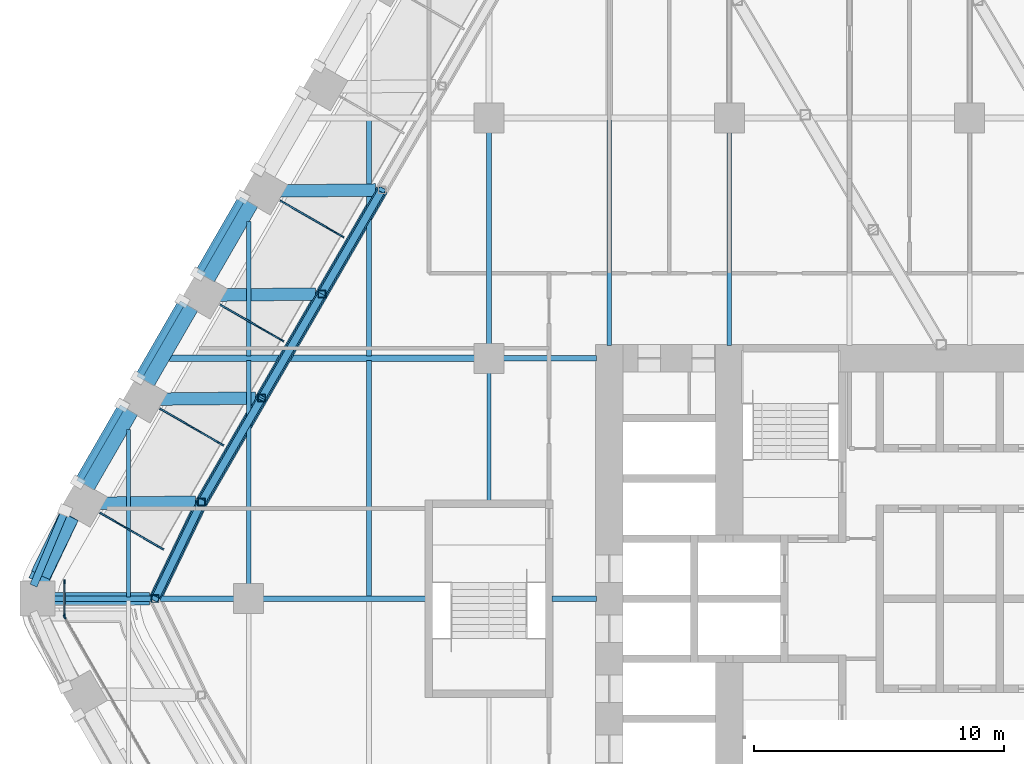
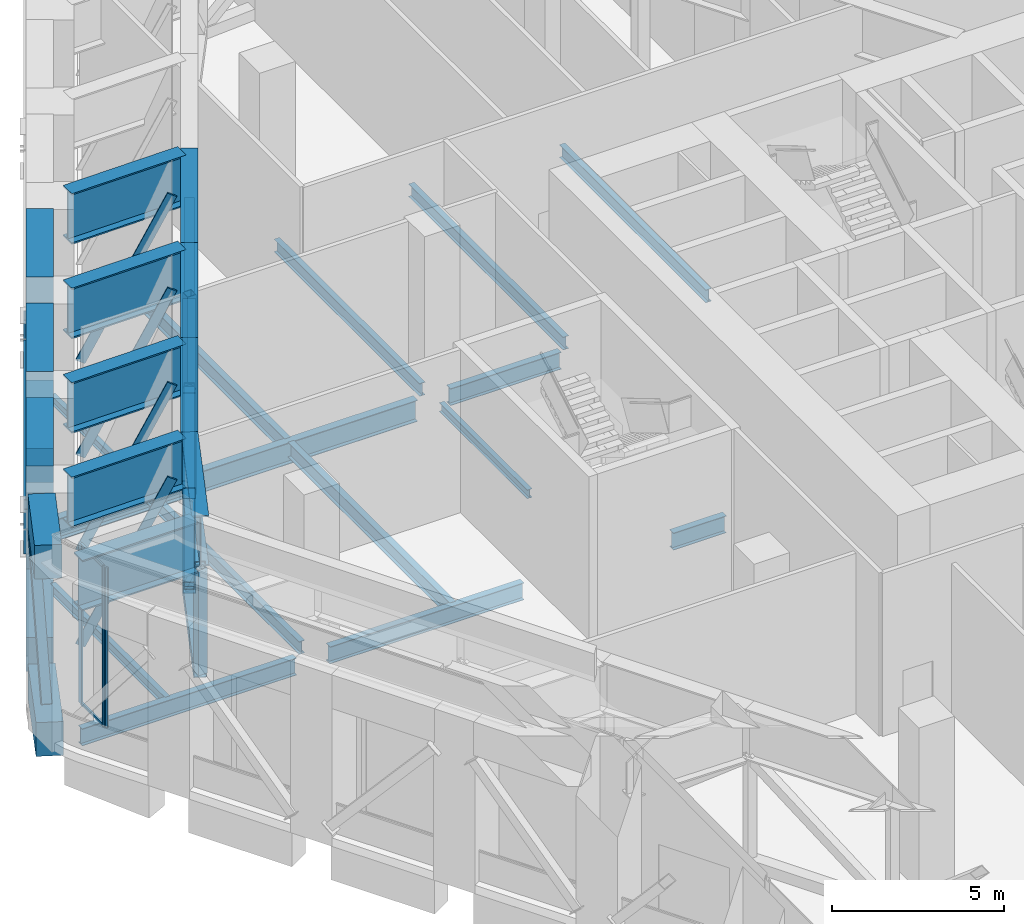
# One storey, part 7 of 35: 31 beams, 25 members, 3 elements without a shape of their own.
"""IFC4 building model written with IfcOpenShell, lengths in metres."""

from ifc_helpers import new_model, si_unit, direction, frame, origin, origin_2d, place, context, subcontext, project, spatial, rectangle, hollow_rectangle, i_section, extrude, material, material_profile, profile_set, type_object, element, aggregate, save


model = new_model("IFC4")

# Units and contexts
model_context = context("Model", 3, precision=1e-05, world=origin(), true_north=direction((0.0, 1.0)))
body_context = subcontext(model_context, "Body", "Model", "MODEL_VIEW")
ifc_project = project(units=[si_unit("LENGTHUNIT", "METRE"), si_unit("AREAUNIT", "SQUARE_METRE"), si_unit("VOLUMEUNIT", "CUBIC_METRE"), si_unit("PLANEANGLEUNIT", "RADIAN"), si_unit("MASSUNIT", "GRAM", prefix="KILO")], contexts=[model_context])

# Site, building, storey
site_placement = place(None, origin())
site = spatial("IfcSite", under=ifc_project, at=site_placement, CompositionType="ELEMENT")
building_placement = place(site_placement, origin())
building = spatial("IfcBuilding", under=site, at=building_placement, Name="Kolab Exchange Tower", CompositionType="ELEMENT")
storey_placement = place(building_placement, frame((0.0, 0.0, 71.89990234375)))
storey = spatial("IfcBuildingStorey", under=building, at=storey_placement, Name="L13", CompositionType="ELEMENT", Elevation=71.89990234375)

# Members
ifc_material_1 = material(Name="Steel S355", Category="steel")
ifc_material_profile_1 = material_profile(ifc_material_1, hollow_rectangle(XDim=0.300048828125, YDim=0.300048828125, WallThickness=0.01611328125, at=origin_2d()), Name="HSS300X300X16")
ifc_profile_set_1 = profile_set([ifc_material_profile_1], Name="Steel S355")
member_type_1 = type_object("IfcMemberType", Name="BELT TRUSS BRACE HSS300X300X16", PredefinedType="BRACE", material=ifc_profile_set_1)
member_1_placement = place(storey_placement, frame((-32.535888671875, 0.0, 4.0), z_axis=(0.326067240374, 0.677790824134, -0.658999054229), x_axis=(-0.901145304527, 0.433517173972, 0.0)))
element("IfcMember", 1, at=member_1_placement, inside=storey, type_object=member_type_1, Name="mem/L13/ring/d-F6-01", PredefinedType="BRACE", context=body_context, shape_type="SweptSolid", body=[
    extrude(hollow_rectangle(XDim=0.300048828125, YDim=0.300048828125, WallThickness=0.01611328125, at=origin_2d()), origin(), (0.0, 0.0, 1.0), 5.6904296875),
])
member_2_placement = place(storey_placement, frame((-30.680419921875, 3.85693359375, 0.25), z_axis=(0.393995973328, 0.682458742407, 0.615643758934), x_axis=(-0.866037363387, 0.499979284789, 0.0)))
element("IfcMember", 2, at=member_2_placement, inside=storey, type_object=member_type_1, Name="mem/L13/ring/d-F6-02", PredefinedType="BRACE", context=body_context, shape_type="SweptSolid", body=[
    extrude(hollow_rectangle(XDim=0.300048828125, YDim=0.300048828125, WallThickness=0.01611328125, at=origin_2d()), origin(), (0.0, 0.0, 1.0), 6.091064453125),
])
member_3_placement = place(storey_placement, frame((-28.280517578125, 8.013916015625, 4.0), z_axis=(0.394029831617, 0.682447964901, -0.615634036582), x_axis=(-0.866015339567, 0.500017431331, 0.0)))
element("IfcMember", 3, at=member_3_placement, inside=storey, type_object=member_type_1, Name="mem/L13/ring/d-F6-03", PredefinedType="BRACE", context=body_context, shape_type="SweptSolid", body=[
    extrude(hollow_rectangle(XDim=0.300048828125, YDim=0.300048828125, WallThickness=0.01611328125, at=origin_2d()), origin(), (0.0, 0.0, 1.0), 6.09130859375),
])
member_4_placement = place(storey_placement, frame((-25.88037109375, 12.1708984375, 0.25), z_axis=(0.394006750666, 0.682437328265, 0.61566059921), x_axis=(-0.866024647952, 0.500001309137, 0.0)))
element("IfcMember", 4, at=member_4_placement, inside=storey, type_object=member_type_1, Name="mem/L13/ring/d-F6-04", PredefinedType="BRACE", context=body_context, shape_type="SweptSolid", body=[
    extrude(hollow_rectangle(XDim=0.300048828125, YDim=0.300048828125, WallThickness=0.01611328125, at=origin_2d()), origin(), (0.0, 0.0, 1.0), 6.091064453125),
])
member_5_placement = place(storey_placement, frame((-37.34912109375, 0.631103515625, 0.400146484375), z_axis=(0.236569610991, 0.563022308645, 0.791859014676), x_axis=(-0.92192349331, 0.387372007872, 0.0)))
element("IfcMember", 5, at=member_5_placement, inside=storey, type_object=member_type_1, Name="mem/L13/fb/F6-01", PredefinedType="BRACE", context=body_context, shape_type="SweptSolid", body=[
    extrude(hollow_rectangle(XDim=0.300048828125, YDim=0.300048828125, WallThickness=0.01611328125, at=origin_2d()), origin(), (0.0, 0.0, 1.0), 5.114501953125),
])
for number, where, z_axis, x_axis, name in (
    (6, (-35.617431640625, 4.66796875, 4.4501953125), (0.328639455646, 0.569235883224, -0.753635599904), (-0.866031355668, 0.499989690894, 0.0), "mem/L13/fb/F6-02"),
    (7, (-33.217529296875, 8.824951171875, 0.400146484375), (0.328639455646, 0.569235883224, 0.753635599904), (-0.866031355668, 0.499989690894, 0.0), "mem/L13/fb/F6-03"),
):
    element("IfcMember", number, at=place(storey_placement, frame(where, z_axis=z_axis, x_axis=x_axis)), inside=storey, type_object=member_type_1, Name=name, PredefinedType="BRACE", context=body_context, shape_type="SweptSolid", body=[
        extrude(hollow_rectangle(XDim=0.300048828125, YDim=0.300048828125, WallThickness=0.01611328125, at=origin_2d()), origin(), (0.0, 0.0, 1.0), 5.3740234375),
    ])
member_6_placement = place(storey_placement, frame((-30.8173828125, 12.981689453125, 4.4501953125), z_axis=(0.328630956923, 0.569266591264, -0.753616110644), x_axis=(-0.866048632561, 0.49995976442, 0.0)))
element("IfcMember", 8, at=member_6_placement, inside=storey, type_object=member_type_1, Name="mem/L13/fb/F6-04", PredefinedType="BRACE", context=body_context, shape_type="SweptSolid", body=[
    extrude(hollow_rectangle(XDim=0.300048828125, YDim=0.300048828125, WallThickness=0.01611328125, at=origin_2d()), origin(), (0.0, 0.0, 1.0), 5.374267578125),
])
ifc_material_profile_2 = material_profile(ifc_material_1, hollow_rectangle(XDim=0.39990234375, YDim=0.39990234375, WallThickness=0.02001953125, at=origin_2d()), Name="HSS400X400X20")
ifc_profile_set_2 = profile_set([ifc_material_profile_2], Name="Steel S355")
member_type_2 = type_object("IfcMemberType", Name="BELT TRUSS CHORD HSS400X400X20", PredefinedType="CHORD", material=ifc_profile_set_2)
member_7_placement = place(storey_placement, frame((-32.535888671875, 0.0, 0.25), z_axis=(0.433517173972, 0.901145304527, 0.0), x_axis=(-0.901145304527, 0.433517173972, 0.0)))
element("IfcMember", 9, at=member_7_placement, inside=storey, type_object=member_type_2, Name="mem/L13/ring/c-F6-01", PredefinedType="CHORD", context=body_context, shape_type="SweptSolid", body=[
    extrude(hollow_rectangle(XDim=0.39990234375, YDim=0.39990234375, WallThickness=0.02001953125, at=origin_2d()), origin(), (0.0, 0.0, 1.0), 4.280029296875),
])
for number, where, z_axis, x_axis, name in (
    (10, (-30.680419921875, 3.85693359375, 0.25), (0.499979284789, 0.866037363387, 0.0), (-0.866037363387, 0.499979284789, 0.0), "mem/L13/ring/c-F6-02"),
    (11, (-28.280517578125, 8.013916015625, 0.25), (0.500017431331, 0.866015339567, 0.0), (-0.866015339567, 0.500017431331, 0.0), "mem/L13/ring/c-F6-03"),
):
    element("IfcMember", number, at=place(storey_placement, frame(where, z_axis=z_axis, x_axis=x_axis)), inside=storey, type_object=member_type_2, Name=name, PredefinedType="CHORD", context=body_context, shape_type="SweptSolid", body=[
        extrude(hollow_rectangle(XDim=0.39990234375, YDim=0.39990234375, WallThickness=0.02001953125, at=origin_2d()), origin(), (0.0, 0.0, 1.0), 4.800048828125),
    ])
member_8_placement = place(storey_placement, frame((-25.88037109375, 12.1708984375, 0.25), z_axis=(0.500001309137, 0.866024647952, 0.0), x_axis=(-0.866024647952, 0.500001309137, 0.0)))
element("IfcMember", 12, at=member_8_placement, inside=storey, type_object=member_type_2, Name="mem/L13/ring/c-F6-04", PredefinedType="CHORD", context=body_context, shape_type="SweptSolid", body=[
    extrude(hollow_rectangle(XDim=0.39990234375, YDim=0.39990234375, WallThickness=0.02001953125, at=origin_2d()), origin(), (0.0, 0.0, 1.0), 4.7998046875),
])

# Beams
ifc_material_profile_3 = material_profile(ifc_material_1, i_section(OverallWidth=0.5, OverallDepth=1.800048828125, WebThickness=0.031982421875, FlangeThickness=0.050048828125, at=origin_2d()), Name="PG1800X500")
ifc_profile_set_3 = profile_set([ifc_material_profile_3], Name="Steel S355")
beam_type_1 = type_object("IfcBeamType", Name="BELT TRUSS GIRDER PG1800X500", PredefinedType="BEAM", material=ifc_profile_set_3)
beam_1_placement = place(storey_placement, frame((-32.535888671875, 0.0, 4.900146484375), z_axis=(0.433517173972, 0.901145304527, 0.0), x_axis=(-0.901145304527, 0.433517173972, 0.0)))
element("IfcBeam", 13, at=beam_1_placement, inside=storey, type_object=beam_type_1, Name="beam/L13/bg/F6-in", PredefinedType="BEAM", context=body_context, shape_type="SweptSolid", body=[
    extrude(i_section(OverallWidth=0.5, OverallDepth=1.800048828125, WebThickness=0.031982421875, FlangeThickness=0.050048828125, at=origin_2d()), origin(), (0.0, 0.0, 1.0), 4.280029296875),
])
for number, where, z_axis, x_axis, name in (
    (14, (-30.680419921875, 3.85693359375, 4.900146484375), (0.499979284789, 0.866037363387, 0.0), (-0.866037363387, 0.499979284789, 0.0), "beam/L13/bg/F6-run0"),
    (15, (-28.280517578125, 8.013916015625, 4.900146484375), (0.500017431331, 0.866015339567, 0.0), (-0.866015339567, 0.500017431331, 0.0), "beam/L13/bg/F6-run1"),
):
    element("IfcBeam", number, at=place(storey_placement, frame(where, z_axis=z_axis, x_axis=x_axis)), inside=storey, type_object=beam_type_1, Name=name, PredefinedType="BEAM", context=body_context, shape_type="SweptSolid", body=[
        extrude(i_section(OverallWidth=0.5, OverallDepth=1.800048828125, WebThickness=0.031982421875, FlangeThickness=0.050048828125, at=origin_2d()), origin(), (0.0, 0.0, 1.0), 4.800048828125),
    ])
beam_2_placement = place(storey_placement, frame((-25.88037109375, 12.1708984375, 4.900146484375), z_axis=(0.500001309137, 0.866024647952, 0.0), x_axis=(-0.866024647952, 0.500001309137, 0.0)))
element("IfcBeam", 16, at=beam_2_placement, inside=storey, type_object=beam_type_1, Name="beam/L13/bg/F6-run2", PredefinedType="BEAM", context=body_context, shape_type="SweptSolid", body=[
    extrude(i_section(OverallWidth=0.5, OverallDepth=1.800048828125, WebThickness=0.031982421875, FlangeThickness=0.050048828125, at=origin_2d()), origin(), (0.0, 0.0, 1.0), 4.7998046875),
])

# Members
ifc_material_profile_4 = material_profile(ifc_material_1, hollow_rectangle(XDim=0.300048828125, YDim=0.300048828125, WallThickness=0.01611328125, at=origin_2d()), Name="HSS300X300X16")
ifc_profile_set_4 = profile_set([ifc_material_profile_4], Name="Steel S355")
member_type_3 = type_object("IfcMemberType", Name="BELT TRUSS POST HSS300X300X16", PredefinedType="POST", material=ifc_profile_set_4)
for number, where, z_axis, x_axis, name in (
    (17, (-32.535888671875, 0.0, 0.25), (0.0, 0.0, 1.0), (1.0, 0.0, 0.0), "mem/L13/ring/p-F6-01"),
    (18, (-30.680419921875, 3.85693359375, 0.25), (0.0, 0.0, 1.0), (1.0, 0.0, 0.0), "mem/L13/ring/p-F6-02"),
    (19, (-28.280517578125, 8.013916015625, 0.25), (0.0, 0.0, 1.0), (1.0, 0.0, 0.0), "mem/L13/ring/p-F6-03"),
    (20, (-25.88037109375, 12.1708984375, 0.25), (0.0, 0.0, 1.0), (1.0, 0.0, 0.0), "mem/L13/ring/p-F6-04"),
):
    element("IfcMember", number, at=place(storey_placement, frame(where, z_axis=z_axis, x_axis=x_axis)), inside=storey, type_object=member_type_3, Name=name, PredefinedType="POST", context=body_context, shape_type="SweptSolid", body=[
        extrude(hollow_rectangle(XDim=0.300048828125, YDim=0.300048828125, WallThickness=0.01611328125, at=origin_2d()), origin(), (0.0, 0.0, 1.0), 3.75),
    ])

# Curtain wall, members
ifc_material_2 = material(Name="Aluminium EN AW-6063 T6", Category="aluminium")
curtain_wall_type_1 = type_object("IfcCurtainWallType", Name="CANTED BAND CURTAIN WALL", PredefinedType="NOTDEFINED", material=ifc_material_2)
curtain_wall_1_placement = place(storey_placement, origin())
curtain_wall_1 = element("IfcCurtainWall", 21, at=curtain_wall_1_placement, inside=storey, type_object=curtain_wall_type_1, Name="band/L13/F6", PredefinedType="NOTDEFINED")
ifc_material_profile_5 = material_profile(ifc_material_2, rectangle(XDim=0.06005859375, YDim=0.300048828125, at=origin_2d()), Name="RECT 60X300")
ifc_profile_set_5 = profile_set([ifc_material_profile_5], Name="Aluminium EN AW-6063 T6")
member_type_4 = type_object("IfcMemberType", Name="CANTED BAND MULLION 60 X 300", PredefinedType="MULLION", material=ifc_profile_set_5)
member_9_placement = place(storey_placement, frame((-34.631591796875, 3.366943359375, -0.099853515625), z_axis=(0.355801131063, -0.205424096945, 0.911705267907), x_axis=(0.500004049237, 0.866023065944, 0.0)))
member_9 = element("IfcMember", 22, at=member_9_placement, type_object=member_type_4, Name="Band mullion", PredefinedType="MULLION", context=body_context, shape_type="SweptSolid", body=[
    extrude(rectangle(XDim=0.06005859375, YDim=0.300048828125, at=origin_2d()), origin(), (0.0, 0.0, 1.0), 6.51513671875),
])
member_10_placement = place(storey_placement, frame((-32.231689453125, 7.52392578125, -0.099853515625), z_axis=(0.35583111981, -0.205457248307, 0.911686093616), x_axis=(0.500032956655, 0.866006375415, 0.0)))
member_10 = element("IfcMember", 23, at=member_10_placement, type_object=member_type_4, Name="Band mullion", PredefinedType="MULLION", context=body_context, shape_type="SweptSolid", body=[
    extrude(rectangle(XDim=0.06005859375, YDim=0.300048828125, at=origin_2d()), origin(), (0.0, 0.0, 1.0), 6.515380859375),
])
member_11_placement = place(storey_placement, frame((-29.831787109375, 11.6806640625, -0.099853515625), z_axis=(0.355833859075, -0.205421357987, 0.911693111973), x_axis=(0.499964557259, 0.866045865693, 0.0)))
member_11 = element("IfcMember", 24, at=member_11_placement, type_object=member_type_4, Name="Band mullion", PredefinedType="MULLION", context=body_context, shape_type="SweptSolid", body=[
    extrude(rectangle(XDim=0.06005859375, YDim=0.300048828125, at=origin_2d()), origin(), (0.0, 0.0, 1.0), 6.515380859375),
])
member_12_placement = place(storey_placement, frame((-27.431640625, 15.837646484375, -0.099853515625), z_axis=(0.355833859075, -0.205421357987, 0.911693111973), x_axis=(0.499964557259, 0.866045865693, 0.0)))
member_12 = element("IfcMember", 25, at=member_12_placement, type_object=member_type_4, Name="Band mullion", PredefinedType="MULLION", context=body_context, shape_type="SweptSolid", body=[
    extrude(rectangle(XDim=0.06005859375, YDim=0.300048828125, at=origin_2d()), origin(), (0.0, 0.0, 1.0), 6.515380859375),
])
aggregate(curtain_wall_1, [member_9, member_10, member_11, member_12])

# Beams
ifc_material_profile_6 = material_profile(ifc_material_1, i_section(OverallWidth=0.1650390625, OverallDepth=0.31005859375, WebThickness=0.005859375, FlangeThickness=0.009765625, at=origin_2d()), Name="W310X39")
ifc_profile_set_6 = profile_set([ifc_material_profile_6], Name="Steel S355")
beam_type_2 = type_object("IfcBeamType", Name="FLOOR BEAM W310X39", PredefinedType="BEAM", material=ifc_profile_set_6)
beam_3_placement = place(storey_placement, frame((-28.800048828125, 9.693603515625, -0.454833984375), z_axis=(0.0, 1.0, 0.0), x_axis=(-1.0, 0.0, 0.0)))
element("IfcBeam", 26, at=beam_3_placement, inside=storey, type_object=beam_type_2, Name="beam/L13/fr/005", PredefinedType="BEAM", context=body_context, shape_type="SweptSolid", body=[
    extrude(i_section(OverallWidth=0.1650390625, OverallDepth=0.31005859375, WebThickness=0.005859375, FlangeThickness=0.009765625, at=origin_2d()), origin(), (0.0, 0.0, 1.0), 5.3740234375),
])
beam_4_placement = place(storey_placement, frame((-19.199951171875, 3.909912109375, -0.454833984375), z_axis=(0.0, 1.0, 0.0), x_axis=(-1.0, 0.0, 0.0)))
element("IfcBeam", 27, at=beam_4_placement, inside=storey, type_object=beam_type_2, Name="beam/L13/fr/015", PredefinedType="BEAM", context=body_context, shape_type="SweptSolid", body=[
    extrude(i_section(OverallWidth=0.1650390625, OverallDepth=0.31005859375, WebThickness=0.005859375, FlangeThickness=0.009765625, at=origin_2d()), origin(), (0.0, 0.0, 1.0), 5.130126953125),
])
ifc_material_profile_7 = material_profile(ifc_material_1, i_section(OverallWidth=0.1708984375, OverallDepth=0.35498046875, WebThickness=0.007080078125, FlangeThickness=0.01171875, at=origin_2d()), Name="W360X51")
ifc_profile_set_7 = profile_set([ifc_material_profile_7], Name="Steel S355")
beam_type_3 = type_object("IfcBeamType", Name="FLOOR BEAM W360X51", PredefinedType="BEAM", material=ifc_profile_set_7)
beam_5_placement = place(storey_placement, frame((-33.60009765625, 0.073974609375, -0.477294921875), z_axis=(0.0, 1.0, 0.0), x_axis=(-1.0, 0.0, 0.0)))
element("IfcBeam", 28, at=beam_5_placement, inside=storey, type_object=beam_type_3, Name="beam/L13/fr/001", PredefinedType="BEAM", context=body_context, shape_type="SweptSolid", body=[
    extrude(i_section(OverallWidth=0.1708984375, OverallDepth=0.35498046875, WebThickness=0.007080078125, FlangeThickness=0.01171875, at=origin_2d()), origin(), (0.0, 0.0, 1.0), 6.679931640625),
])
ifc_material_profile_8 = material_profile(ifc_material_1, i_section(OverallWidth=0.18994140625, OverallDepth=0.45703125, WebThickness=0.009033203125, FlangeThickness=0.014404296875, at=origin_2d()), Name="W460X74")
ifc_profile_set_8 = profile_set([ifc_material_profile_8], Name="Steel S355")
beam_type_4 = type_object("IfcBeamType", Name="FLOOR BEAM W460X74", PredefinedType="BEAM", material=ifc_profile_set_8)
beam_6_placement = place(storey_placement, frame((-28.800048828125, 0.56005859375, -0.5283203125), z_axis=(0.0, 1.0, 0.0), x_axis=(-1.0, 0.0, 0.0)))
element("IfcBeam", 29, at=beam_6_placement, inside=storey, type_object=beam_type_4, Name="beam/L13/fr/004", PredefinedType="BEAM", context=body_context, shape_type="SweptSolid", body=[
    extrude(i_section(OverallWidth=0.18994140625, OverallDepth=0.45703125, WebThickness=0.009033203125, FlangeThickness=0.014404296875, at=origin_2d()), origin(), (0.0, 0.0, 1.0), 8.946533203125),
])
beam_7_placement = place(storey_placement, frame((-19.199951171875, 10.159912109375, -0.5283203125), z_axis=(0.0, 1.0, 0.0), x_axis=(-1.0, 0.0, 0.0)))
element("IfcBeam", 30, at=beam_7_placement, inside=storey, type_object=beam_type_4, Name="beam/L13/fr/016", PredefinedType="BEAM", context=body_context, shape_type="SweptSolid", body=[
    extrude(i_section(OverallWidth=0.18994140625, OverallDepth=0.45703125, WebThickness=0.009033203125, FlangeThickness=0.014404296875, at=origin_2d()), origin(), (0.0, 0.0, 1.0), 8.47998046875),
])
beam_8_placement = place(storey_placement, frame((-14.39990234375, 10.110107421875, -0.5283203125), z_axis=(0.0, 1.0, 0.0), x_axis=(-1.0, 0.0, 0.0)))
element("IfcBeam", 31, at=beam_8_placement, inside=storey, type_object=beam_type_4, Name="beam/L13/fr/020", PredefinedType="BEAM", context=body_context, shape_type="SweptSolid", body=[
    extrude(i_section(OverallWidth=0.18994140625, OverallDepth=0.45703125, WebThickness=0.009033203125, FlangeThickness=0.014404296875, at=origin_2d()), origin(), (0.0, 0.0, 1.0), 9.0029296875),
])
beam_9_placement = place(storey_placement, frame((-9.60009765625, 10.110107421875, -0.5283203125), z_axis=(0.0, 1.0, 0.0), x_axis=(-1.0, 0.0, 0.0)))
element("IfcBeam", 32, at=beam_9_placement, inside=storey, type_object=beam_type_4, Name="beam/L13/fr/024", PredefinedType="BEAM", context=body_context, shape_type="SweptSolid", body=[
    extrude(i_section(OverallWidth=0.18994140625, OverallDepth=0.45703125, WebThickness=0.009033203125, FlangeThickness=0.014404296875, at=origin_2d()), origin(), (0.0, 0.0, 1.0), 8.52978515625),
])
ifc_material_profile_9 = material_profile(ifc_material_1, i_section(OverallWidth=0.208984375, OverallDepth=0.532958984375, WebThickness=0.01025390625, FlangeThickness=0.015625, at=origin_2d()), Name="W530X92")
ifc_profile_set_9 = profile_set([ifc_material_profile_9], Name="Steel S355")
beam_type_5 = type_object("IfcBeamType", Name="FLOOR BEAM W530X92", PredefinedType="BEAM", material=ifc_profile_set_9)
beam_10_placement = place(storey_placement, frame((-24.0, 0.073974609375, -0.56640625), z_axis=(0.0, 1.0, 0.0), x_axis=(-1.0, 0.0, 0.0)))
element("IfcBeam", 33, at=beam_10_placement, inside=storey, type_object=beam_type_5, Name="beam/L13/fr/009", PredefinedType="BEAM", context=body_context, shape_type="SweptSolid", body=[
    extrude(i_section(OverallWidth=0.208984375, OverallDepth=0.532958984375, WebThickness=0.01025390625, FlangeThickness=0.015625, at=origin_2d()), origin(), (0.0, 0.0, 1.0), 9.4326171875),
])
beam_11_placement = place(storey_placement, frame((-24.0, 9.693603515625, -0.56640625), z_axis=(0.0, 1.0, 0.0), x_axis=(-1.0, 0.0, 0.0)))
element("IfcBeam", 34, at=beam_11_placement, inside=storey, type_object=beam_type_5, Name="beam/L13/fr/010", PredefinedType="BEAM", context=body_context, shape_type="SweptSolid", body=[
    extrude(i_section(OverallWidth=0.208984375, OverallDepth=0.532958984375, WebThickness=0.01025390625, FlangeThickness=0.015625, at=origin_2d()), origin(), (0.0, 0.0, 1.0), 9.432373046875),
])
ifc_material_profile_10 = material_profile(ifc_material_1, i_section(OverallWidth=0.22802734375, OverallDepth=0.60791015625, WebThickness=0.01123046875, FlangeThickness=0.017333984375, at=origin_2d()), Name="W610X113")
ifc_profile_set_10 = profile_set([ifc_material_profile_10], Name="Steel S355")
beam_type_6 = type_object("IfcBeamType", Name="FLOOR GIRDER W610X113", PredefinedType="BEAM", material=ifc_profile_set_10)
beam_12_placement = place(storey_placement, frame((-36.575927734375, 0.0, -0.60400390625), z_axis=(1.0, 0.0, 0.0), x_axis=(0.0, 1.0, 0.0)))
element("IfcBeam", 35, at=beam_12_placement, inside=storey, type_object=beam_type_6, Name="beam/L13/gd/000", PredefinedType="BEAM", context=body_context, shape_type="SweptSolid", body=[
    extrude(i_section(OverallWidth=0.22802734375, OverallDepth=0.60791015625, WebThickness=0.01123046875, FlangeThickness=0.017333984375, at=origin_2d()), origin(), (0.0, 0.0, 1.0), 7.2158203125),
])
beam_13_placement = place(storey_placement, frame((-28.239990234375, 0.0, -0.60400390625), z_axis=(1.0, 0.0, 0.0), x_axis=(0.0, 1.0, 0.0)))
element("IfcBeam", 36, at=beam_13_placement, inside=storey, type_object=beam_type_6, Name="beam/L13/gd/003", PredefinedType="BEAM", context=body_context, shape_type="SweptSolid", body=[
    extrude(i_section(OverallWidth=0.22802734375, OverallDepth=0.60791015625, WebThickness=0.01123046875, FlangeThickness=0.017333984375, at=origin_2d()), origin(), (0.0, 0.0, 1.0), 6.530029296875),
])
beam_14_placement = place(storey_placement, frame((-18.639892578125, 9.60009765625, -0.60400390625), z_axis=(1.0, 0.0, 0.0), x_axis=(0.0, 1.0, 0.0)))
element("IfcBeam", 37, at=beam_14_placement, inside=storey, type_object=beam_type_6, Name="beam/L13/gd/008", PredefinedType="BEAM", context=body_context, shape_type="SweptSolid", body=[
    extrude(i_section(OverallWidth=0.22802734375, OverallDepth=0.60791015625, WebThickness=0.01123046875, FlangeThickness=0.017333984375, at=origin_2d()), origin(), (0.0, 0.0, 1.0), 3.72998046875),
])
beam_15_placement = place(storey_placement, frame((-16.68994140625, 0.0, -0.60400390625), z_axis=(1.0, 0.0, 0.0), x_axis=(0.0, 1.0, 0.0)))
element("IfcBeam", 38, at=beam_15_placement, inside=storey, type_object=beam_type_6, Name="beam/L13/gd/010", PredefinedType="BEAM", context=body_context, shape_type="SweptSolid", body=[
    extrude(i_section(OverallWidth=0.22802734375, OverallDepth=0.60791015625, WebThickness=0.01123046875, FlangeThickness=0.017333984375, at=origin_2d()), origin(), (0.0, 0.0, 1.0), 1.780029296875),
])
ifc_material_profile_11 = material_profile(ifc_material_1, i_section(OverallWidth=0.26708984375, OverallDepth=0.761962890625, WebThickness=0.014404296875, FlangeThickness=0.021484375, at=origin_2d()), Name="W760X173")
ifc_profile_set_11 = profile_set([ifc_material_profile_11], Name="Steel S355")
beam_type_7 = type_object("IfcBeamType", Name="FLOOR GIRDER W760X173", PredefinedType="BEAM", material=ifc_profile_set_11)
beam_16_placement = place(storey_placement, frame((-31.9736328125, 9.60009765625, -0.680908203125), z_axis=(1.0, 0.0, 0.0), x_axis=(0.0, 1.0, 0.0)))
element("IfcBeam", 39, at=beam_16_placement, inside=storey, type_object=beam_type_7, Name="beam/L13/gd/002", PredefinedType="BEAM", context=body_context, shape_type="SweptSolid", body=[
    extrude(i_section(OverallWidth=0.26708984375, OverallDepth=0.761962890625, WebThickness=0.014404296875, FlangeThickness=0.021484375, at=origin_2d()), origin(), (0.0, 0.0, 1.0), 12.213623046875),
])
ifc_material_3 = material(Name="Concrete C80/95", Category="concrete")
ifc_material_profile_12 = material_profile(ifc_material_3, rectangle(XDim=0.800048828125, YDim=1.199951171875, at=origin_2d()), Name="RC800X1200")
ifc_profile_set_12 = profile_set([ifc_material_profile_12], Name="Concrete C80/95")
beam_type_8 = type_object("IfcBeamType", Name="SPANDREL BEAM 800X1200 C80/95", PredefinedType="BEAM", material=ifc_profile_set_12)
beam_17_placement = place(storey_placement, frame((-37.219970703125, 0.663818359375, -0.89990234375), z_axis=(0.429555669245, 0.903040379507, 0.0), x_axis=(-0.903040379507, 0.429555669245, 0.0)))
element("IfcBeam", 40, at=beam_17_placement, inside=storey, type_object=beam_type_8, Name="beam/L13/sp/F6-01", PredefinedType="BEAM", context=body_context, shape_type="SweptSolid", body=[
    extrude(rectangle(XDim=0.800048828125, YDim=1.199951171875, at=origin_2d()), origin(), (0.0, 0.0, 1.0), 2.984375),
])
beam_18_placement = place(storey_placement, frame((-35.323486328125, 4.528564453125, -0.89990234375), z_axis=(0.500009906705, 0.86601968407, 0.0), x_axis=(-0.86601968407, 0.500009906705, 0.0)))
element("IfcBeam", 41, at=beam_18_placement, inside=storey, type_object=beam_type_8, Name="beam/L13/sp/F6-02", PredefinedType="BEAM", context=body_context, shape_type="SweptSolid", body=[
    extrude(rectangle(XDim=0.800048828125, YDim=1.199951171875, at=origin_2d()), origin(), (0.0, 0.0, 1.0), 3.47998046875),
])
for number, where, z_axis, x_axis, name in (
    (42, (-32.923583984375, 8.685302734375, -0.89990234375), (0.499979528911, 0.866037222451, 0.0), (-0.866037222451, 0.499979528911, 0.0), "beam/L13/sp/F6-03"),
    (43, (-30.523681640625, 12.84228515625, -0.89990234375), (0.499979528911, 0.866037222451, 0.0), (-0.866037222451, 0.499979528911, 0.0), "beam/L13/sp/F6-04"),
):
    element("IfcBeam", number, at=place(storey_placement, frame(where, z_axis=z_axis, x_axis=x_axis)), inside=storey, type_object=beam_type_8, Name=name, PredefinedType="BEAM", context=body_context, shape_type="SweptSolid", body=[
        extrude(rectangle(XDim=0.800048828125, YDim=1.199951171875, at=origin_2d()), origin(), (0.0, 0.0, 1.0), 3.480224609375),
    ])
beam_19_placement = place(storey_placement, frame((-37.1162109375, 0.936279296875, 5.2001953125), z_axis=(0.435607113353, 0.900136902252, 0.0), x_axis=(-0.900136902252, 0.435607113353, 0.0)))
element("IfcBeam", 44, at=beam_19_placement, inside=storey, type_object=beam_type_8, Name="beam/L13/cp/F6-01", PredefinedType="BEAM", context=body_context, shape_type="SweptSolid", body=[
    extrude(rectangle(XDim=0.800048828125, YDim=1.199951171875, at=origin_2d()), origin(), (0.0, 0.0, 1.0), 2.625244140625),
])
beam_20_placement = place(storey_placement, frame((-35.323486328125, 4.528564453125, 5.2001953125), z_axis=(0.500009906705, 0.86601968407, 0.0), x_axis=(-0.86601968407, 0.500009906705, 0.0)))
element("IfcBeam", 45, at=beam_20_placement, inside=storey, type_object=beam_type_8, Name="beam/L13/cp/F6-02", PredefinedType="BEAM", context=body_context, shape_type="SweptSolid", body=[
    extrude(rectangle(XDim=0.800048828125, YDim=1.199951171875, at=origin_2d()), origin(), (0.0, 0.0, 1.0), 3.47998046875),
])
for number, where, z_axis, x_axis, name in (
    (46, (-32.923583984375, 8.685302734375, 5.2001953125), (0.499979528911, 0.866037222451, 0.0), (-0.866037222451, 0.499979528911, 0.0), "beam/L13/cp/F6-03"),
    (47, (-30.523681640625, 12.84228515625, 5.2001953125), (0.499979528911, 0.866037222451, 0.0), (-0.866037222451, 0.499979528911, 0.0), "beam/L13/cp/F6-04"),
):
    element("IfcBeam", number, at=place(storey_placement, frame(where, z_axis=z_axis, x_axis=x_axis)), inside=storey, type_object=beam_type_8, Name=name, PredefinedType="BEAM", context=body_context, shape_type="SweptSolid", body=[
        extrude(rectangle(XDim=0.800048828125, YDim=1.199951171875, at=origin_2d()), origin(), (0.0, 0.0, 1.0), 3.480224609375),
    ])
ifc_material_profile_13 = material_profile(ifc_material_1, i_section(OverallWidth=0.5, OverallDepth=1.800048828125, WebThickness=0.031982421875, FlangeThickness=0.050048828125, at=origin_2d()), Name="PG1800X500")
ifc_profile_set_13 = profile_set([ifc_material_profile_13], Name="Steel S355")
beam_type_9 = type_object("IfcBeamType", Name="TRANSFER GIRDER PG1800X500", PredefinedType="BEAM", material=ifc_profile_set_13)
beam_21_placement = place(storey_placement, frame((-32.755859375, 0.0, 4.900146484375), z_axis=(-1.0, 0.0, 0.0), x_axis=(0.0, -1.0, 0.0)))
element("IfcBeam", 48, at=beam_21_placement, inside=storey, type_object=beam_type_9, Name="beam/L13/tg/F6-01", PredefinedType="BEAM", context=body_context, shape_type="SweptSolid", body=[
    extrude(i_section(OverallWidth=0.5, OverallDepth=1.800048828125, WebThickness=0.031982421875, FlangeThickness=0.050048828125, at=origin_2d()), origin(), (0.0, 0.0, 1.0), 3.89013671875),
])
for number, where, z_axis, x_axis, name in (
    (49, (-30.930419921875, 3.854248046875, 4.900146484375), (-0.999943937573, -0.010588753956, 0.0), (0.010588753956, -0.999943937573, 0.0), "beam/L13/tg/F6-02"),
    (50, (-28.530517578125, 8.01123046875, 4.900146484375), (-0.999943937573, -0.010588753956, 0.0), (0.010588753956, -0.999943937573, 0.0), "beam/L13/tg/F6-03"),
):
    element("IfcBeam", number, at=place(storey_placement, frame(where, z_axis=z_axis, x_axis=x_axis)), inside=storey, type_object=beam_type_9, Name=name, PredefinedType="BEAM", context=body_context, shape_type="SweptSolid", body=[
        extrude(i_section(OverallWidth=0.5, OverallDepth=1.800048828125, WebThickness=0.031982421875, FlangeThickness=0.050048828125, at=origin_2d()), origin(), (0.0, 0.0, 1.0), 3.87353515625),
    ])
beam_22_placement = place(storey_placement, frame((-26.13037109375, 12.168212890625, 4.900146484375), z_axis=(-0.999943275385, -0.010651103841, 0.0), x_axis=(0.010651103841, -0.999943275385, 0.0)))
element("IfcBeam", 51, at=beam_22_placement, inside=storey, type_object=beam_type_9, Name="beam/L13/tg/F6-04", PredefinedType="BEAM", context=body_context, shape_type="SweptSolid", body=[
    extrude(i_section(OverallWidth=0.5, OverallDepth=1.800048828125, WebThickness=0.031982421875, FlangeThickness=0.050048828125, at=origin_2d()), origin(), (0.0, 0.0, 1.0), 3.873779296875),
])
beam_23_placement = place(storey_placement, frame((-23.73046875, 16.324951171875, 4.900146484375), z_axis=(-0.999943937573, -0.010588753956, 0.0), x_axis=(0.010588753956, -0.999943937573, 0.0)))
element("IfcBeam", 52, at=beam_23_placement, inside=storey, type_object=beam_type_9, Name="beam/L13/tg/F6-05", PredefinedType="BEAM", context=body_context, shape_type="SweptSolid", body=[
    extrude(i_section(OverallWidth=0.5, OverallDepth=1.800048828125, WebThickness=0.031982421875, FlangeThickness=0.050048828125, at=origin_2d()), origin(), (0.0, 0.0, 1.0), 3.87353515625),
])

# Curtain wall, member
curtain_wall_type_2 = type_object("IfcCurtainWallType", Name="UNITISED LOW ZONE BELT CURTAIN WALL", PredefinedType="NOTDEFINED", material=ifc_material_2)
curtain_wall_2_placement = place(storey_placement, origin())
curtain_wall_2 = element("IfcCurtainWall", 53, at=curtain_wall_2_placement, inside=storey, type_object=curtain_wall_type_2, Name="cw/L13/F5-2", PredefinedType="NOTDEFINED")
ifc_material_profile_14 = material_profile(ifc_material_2, rectangle(XDim=0.06005859375, YDim=0.159912109375, at=origin_2d()), Name="RECT 60X160")
ifc_profile_set_14 = profile_set([ifc_material_profile_14], Name="Aluminium EN AW-6063 T6")
member_type_5 = type_object("IfcMemberType", Name="UNITISED LOW ZONE BELT MULLION 60 X 160", PredefinedType="MULLION", material=ifc_profile_set_14)
member_13_placement = place(storey_placement, frame((-36.150634765625, -0.736083984375, 0.0), z_axis=(0.0, 0.0, 1.0), x_axis=(-0.866025422102, -0.499999968274, 0.0)))
member_13 = element("IfcMember", 54, at=member_13_placement, type_object=member_type_5, Name="CW9 mullion 5", PredefinedType="MULLION", context=body_context, shape_type="SweptSolid", body=[
    extrude(rectangle(XDim=0.06005859375, YDim=0.159912109375, at=origin_2d()), origin(), (0.0, 0.0, 1.0), 5.7001953125),
])
aggregate(curtain_wall_2, [member_13])

# Curtain wall, members
curtain_wall_3_placement = place(storey_placement, origin())
curtain_wall_3 = element("IfcCurtainWall", 55, at=curtain_wall_3_placement, inside=storey, type_object=curtain_wall_type_2, Name="cw/L13/F5F6-corner", PredefinedType="NOTDEFINED")
member_14_placement = place(storey_placement, frame((-36.165771484375, -0.679931640625, 0.0), z_axis=(0.0, 0.0, 1.0), x_axis=(-1.0, 0.0, 0.0)))
member_14 = element("IfcMember", 56, at=member_14_placement, type_object=member_type_5, Name="CW9 mullion 1", PredefinedType="MULLION", context=body_context, shape_type="SweptSolid", body=[
    extrude(rectangle(XDim=0.06005859375, YDim=0.159912109375, at=origin_2d()), origin(), (0.0, 0.0, 1.0), 5.7001953125),
])
member_15_placement = place(storey_placement, frame((-36.165771484375, 0.679931640625, 0.0), z_axis=(0.0, 0.0, 1.0), x_axis=(-1.0, 0.0, 0.0)))
member_15 = element("IfcMember", 57, at=member_15_placement, type_object=member_type_5, Name="CW9 mullion 2", PredefinedType="MULLION", context=body_context, shape_type="SweptSolid", body=[
    extrude(rectangle(XDim=0.06005859375, YDim=0.159912109375, at=origin_2d()), origin(), (0.0, 0.0, 1.0), 5.7001953125),
])
ifc_material_profile_15 = material_profile(ifc_material_2, rectangle(XDim=0.06005859375, YDim=0.10009765625, at=origin_2d()), Name="RECT 60X100")
ifc_profile_set_15 = profile_set([ifc_material_profile_15], Name="Aluminium EN AW-6063 T6")
member_type_6 = type_object("IfcMemberType", Name="UNITISED LOW ZONE BELT TRANSOM 60 X 100", PredefinedType="USERDEFINED", material=ifc_profile_set_15)
member_16_placement = place(storey_placement, frame((-36.165771484375, -0.64990234375, 0.030029296875), z_axis=(0.0, 1.0, 0.0), x_axis=(-1.0, 0.0, 0.0)))
member_16 = element("IfcMember", 58, at=member_16_placement, type_object=member_type_6, Name="CW9 transom 1.1", ObjectType="TRANSOM", PredefinedType="USERDEFINED", context=body_context, shape_type="SweptSolid", body=[
    extrude(rectangle(XDim=0.06005859375, YDim=0.10009765625, at=origin_2d()), origin(), (0.0, 0.0, 1.0), 1.2998046875),
])
member_17_placement = place(storey_placement, frame((-36.165771484375, -0.64990234375, 5.670166015625), z_axis=(0.0, 1.0, 0.0), x_axis=(-1.0, 0.0, 0.0)))
member_17 = element("IfcMember", 59, at=member_17_placement, type_object=member_type_6, Name="CW9 transom 1.2", ObjectType="TRANSOM", PredefinedType="USERDEFINED", context=body_context, shape_type="SweptSolid", body=[
    extrude(rectangle(XDim=0.06005859375, YDim=0.10009765625, at=origin_2d()), origin(), (0.0, 0.0, 1.0), 1.2998046875),
])
aggregate(curtain_wall_3, [member_14, member_15, member_16, member_17])

save(model, "model.ifc")
